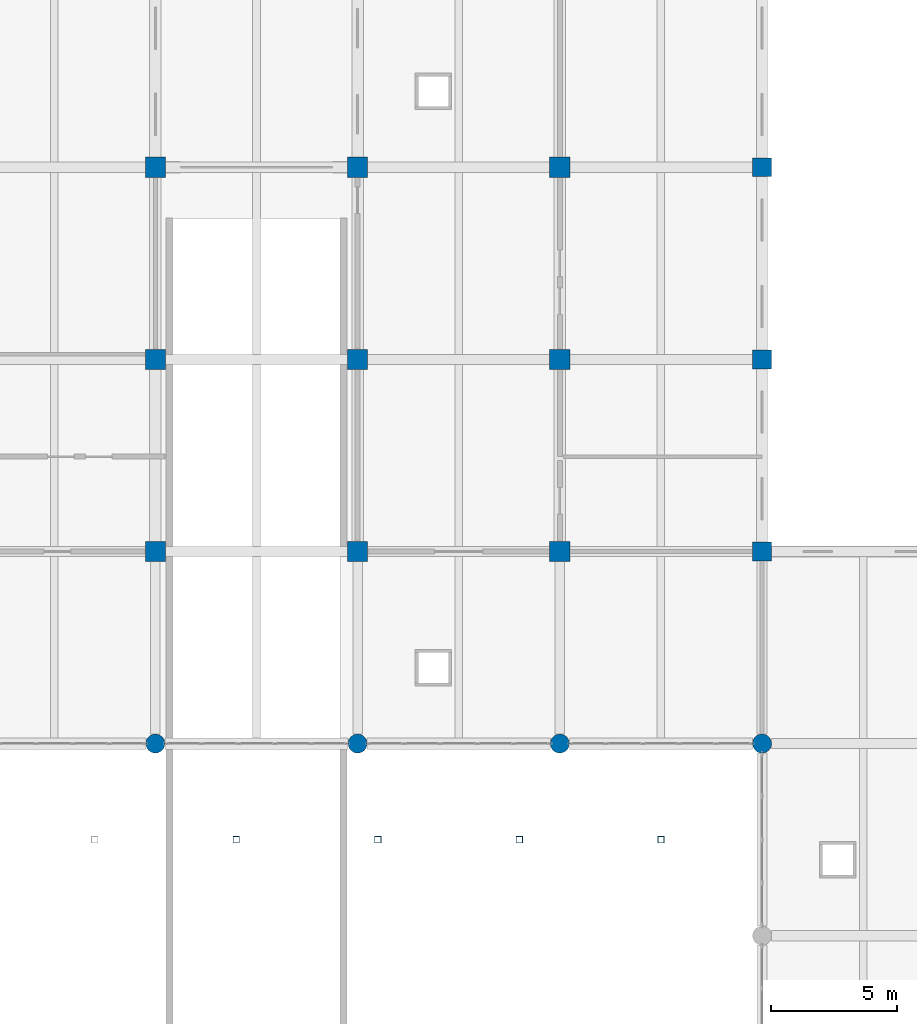
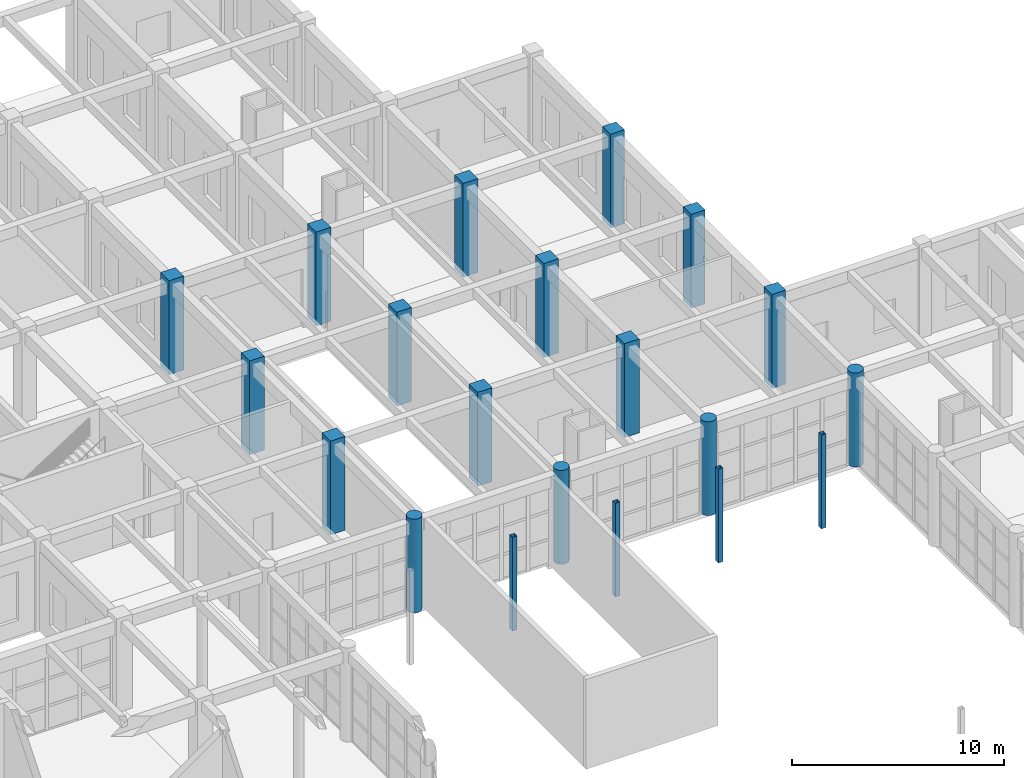
# One storey, part 12 of 95: 20 columns.
"""IFC4 building model written with IfcOpenShell, lengths in metres."""

from ifc_helpers import new_model, si_unit, direction, frame, origin, origin_2d, place, context, subcontext, project, spatial, rectangle, hollow_rectangle, circle, extrude, material, material_profile, profile_set, type_object, element, save


model = new_model("IFC4")

# Units and contexts
model_context = context("Model", 3, precision=1e-05, world=origin(), true_north=direction((0.0, 1.0)))
body_context = subcontext(model_context, "Body", "Model", "MODEL_VIEW")
ifc_project = project(units=[si_unit("LENGTHUNIT", "METRE"), si_unit("AREAUNIT", "SQUARE_METRE"), si_unit("VOLUMEUNIT", "CUBIC_METRE"), si_unit("PLANEANGLEUNIT", "RADIAN"), si_unit("MASSUNIT", "GRAM", prefix="KILO")], contexts=[model_context])

# Site, building, storey
site_placement = place(None, origin())
site = spatial("IfcSite", under=ifc_project, at=site_placement, CompositionType="ELEMENT")
building_placement = place(site_placement, origin())
building = spatial("IfcBuilding", under=site, at=building_placement, Name="Zantavel Square City Hall", CompositionType="ELEMENT")
storey_placement = place(building_placement, origin())
storey = spatial("IfcBuildingStorey", under=building, at=storey_placement, Name="L01", CompositionType="ELEMENT", Elevation=0.0)

# Columns
ifc_material_1 = material(Name="Concrete C40/50", Category="concrete")
ifc_material_profile_1 = material_profile(ifc_material_1, rectangle(XDim=0.75, YDim=0.75, at=origin_2d()), Name="RC 750x750")
ifc_profile_set_1 = profile_set([ifc_material_profile_1], Name="Concrete C40/50")
column_type_1 = type_object("IfcColumnType", Name="Column RC 750x750 C40/50", PredefinedType="COLUMN", material=ifc_profile_set_1)
for number, where, z_axis, x_axis, name in (
    (1, (152.0, 76.0, 0.0), (0.0, 0.0, 1.0), (1.0, 0.0, 0.0), "L01 Column COL-L01-1520-0760"),
    (2, (152.0, 83.60009765625, 0.0), (0.0, 0.0, 1.0), (1.0, 0.0, 0.0), "L01 Column COL-L01-1520-0836"),
    (3, (152.0, 91.199951171875, 0.0), (0.0, 0.0, 1.0), (1.0, 0.0, 0.0), "L01 Column COL-L01-1520-0912"),
):
    element("IfcColumn", number, at=place(storey_placement, frame(where, z_axis=z_axis, x_axis=x_axis)), inside=storey, type_object=column_type_1, Name=name, PredefinedType="COLUMN", context=body_context, shape_type="SweptSolid", body=[
        extrude(rectangle(XDim=0.75, YDim=0.75, at=origin_2d()), origin(), (0.0, 0.0, 1.0), 5.39990234375),
    ])
ifc_material_profile_2 = material_profile(ifc_material_1, rectangle(XDim=0.800048828125, YDim=0.800048828125, at=origin_2d()), Name="RC 800x800")
ifc_profile_set_2 = profile_set([ifc_material_profile_2], Name="Concrete C40/50")
column_type_2 = type_object("IfcColumnType", Name="Column RC 800x800 C40/50", PredefinedType="COLUMN", material=ifc_profile_set_2)
for number, where, z_axis, x_axis, name in (
    (4, (128.0, 76.0, 0.0), (0.0, 0.0, 1.0), (1.0, 0.0, 0.0), "L01 Column COL-L01-1280-0760"),
    (5, (128.0, 83.60009765625, 0.0), (0.0, 0.0, 1.0), (1.0, 0.0, 0.0), "L01 Column COL-L01-1280-0836"),
    (6, (128.0, 91.199951171875, 0.0), (0.0, 0.0, 1.0), (1.0, 0.0, 0.0), "L01 Column COL-L01-1280-0912"),
    (7, (136.0, 76.0, 0.0), (0.0, 0.0, 1.0), (1.0, 0.0, 0.0), "L01 Column COL-L01-1360-0760"),
    (8, (136.0, 83.60009765625, 0.0), (0.0, 0.0, 1.0), (1.0, 0.0, 0.0), "L01 Column COL-L01-1360-0836"),
    (9, (136.0, 91.199951171875, 0.0), (0.0, 0.0, 1.0), (1.0, 0.0, 0.0), "L01 Column COL-L01-1360-0912"),
    (10, (144.0, 76.0, 0.0), (0.0, 0.0, 1.0), (1.0, 0.0, 0.0), "L01 Column COL-L01-1440-0760"),
    (11, (144.0, 83.60009765625, 0.0), (0.0, 0.0, 1.0), (1.0, 0.0, 0.0), "L01 Column COL-L01-1440-0836"),
    (12, (144.0, 91.199951171875, 0.0), (0.0, 0.0, 1.0), (1.0, 0.0, 0.0), "L01 Column COL-L01-1440-0912"),
):
    element("IfcColumn", number, at=place(storey_placement, frame(where, z_axis=z_axis, x_axis=x_axis)), inside=storey, type_object=column_type_2, Name=name, PredefinedType="COLUMN", context=body_context, shape_type="SweptSolid", body=[
        extrude(rectangle(XDim=0.800048828125, YDim=0.800048828125, at=origin_2d()), origin(), (0.0, 0.0, 1.0), 5.39990234375),
    ])
ifc_material_profile_3 = material_profile(ifc_material_1, circle(Radius=0.375, at=origin_2d()), Name="ROUND D750")
ifc_profile_set_3 = profile_set([ifc_material_profile_3], Name="Concrete C40/50")
column_type_3 = type_object("IfcColumnType", Name="Courtyard Ionic Column D750 C40/50", PredefinedType="COLUMN", material=ifc_profile_set_3)
for number, where, z_axis, x_axis, name in (
    (13, (128.0, 68.39990234375, 0.0), (0.0, 0.0, 1.0), (1.0, 0.0, 0.0), "L01 Column COL-L01-1280-0684"),
    (14, (136.0, 68.39990234375, 0.0), (0.0, 0.0, 1.0), (1.0, 0.0, 0.0), "L01 Column COL-L01-1360-0684"),
    (15, (144.0, 68.39990234375, 0.0), (0.0, 0.0, 1.0), (1.0, 0.0, 0.0), "L01 Column COL-L01-1440-0684"),
    (16, (152.0, 68.39990234375, 0.0), (0.0, 0.0, 1.0), (1.0, 0.0, 0.0), "L01 Column COL-L01-1520-0684"),
):
    element("IfcColumn", number, at=place(storey_placement, frame(where, z_axis=z_axis, x_axis=x_axis)), inside=storey, type_object=column_type_3, Name=name, PredefinedType="COLUMN", context=body_context, shape_type="SweptSolid", body=[
        extrude(circle(Radius=0.375, at=origin_2d()), origin(), (0.0, 0.0, 1.0), 5.39990234375),
    ])
ifc_material_2 = material(Name="Steel ASTM A500 Grade B", Category="steel")
ifc_material_profile_4 = material_profile(ifc_material_2, hollow_rectangle(XDim=0.25390625, YDim=0.25390625, WallThickness=0.0126953125, at=origin_2d()), Name="HSS 254x254x12.7")
ifc_profile_set_4 = profile_set([ifc_material_profile_4], Name="Steel ASTM A500 Grade B")
column_type_4 = type_object("IfcColumnType", Name="Pavilion Steel Column HSS254", PredefinedType="COLUMN", material=ifc_profile_set_4)
for number, where, z_axis, x_axis, name in (
    (17, (131.199951171875, 64.60009765625, 0.0), (0.0, 0.0, 1.0), (1.0, 0.0, 0.0), "L01 Courtyard Skylight Column 2-N"),
    (18, (136.800048828125, 64.60009765625, 0.0), (0.0, 0.0, 1.0), (1.0, 0.0, 0.0), "L01 Courtyard Skylight Column 3-N"),
    (19, (142.39990234375, 64.60009765625, 0.0), (0.0, 0.0, 1.0), (1.0, 0.0, 0.0), "L01 Courtyard Skylight Column 4-N"),
    (20, (148.0, 64.60009765625, 0.0), (0.0, 0.0, 1.0), (1.0, 0.0, 0.0), "L01 Courtyard Skylight Column 5-N"),
):
    element("IfcColumn", number, at=place(storey_placement, frame(where, z_axis=z_axis, x_axis=x_axis)), inside=storey, type_object=column_type_4, Name=name, PredefinedType="COLUMN", context=body_context, shape_type="SweptSolid", body=[
        extrude(hollow_rectangle(XDim=0.25390625, YDim=0.25390625, WallThickness=0.0126953125, at=origin_2d()), origin(), (0.0, 0.0, 1.0), 5.39990234375),
    ])

save(model, "model.ifc")
